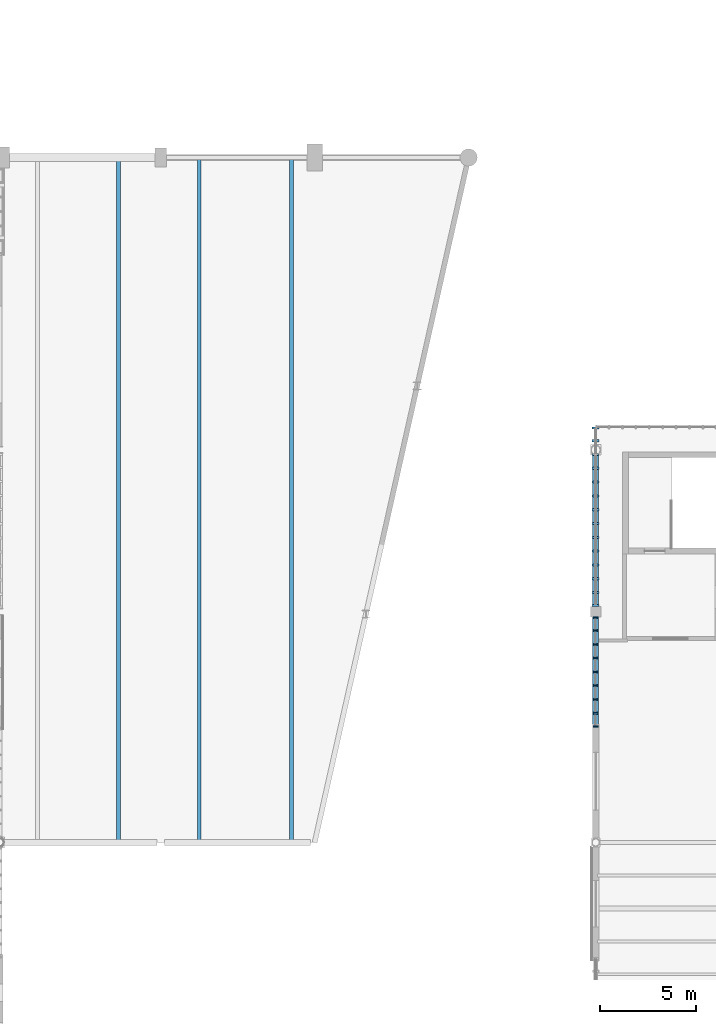
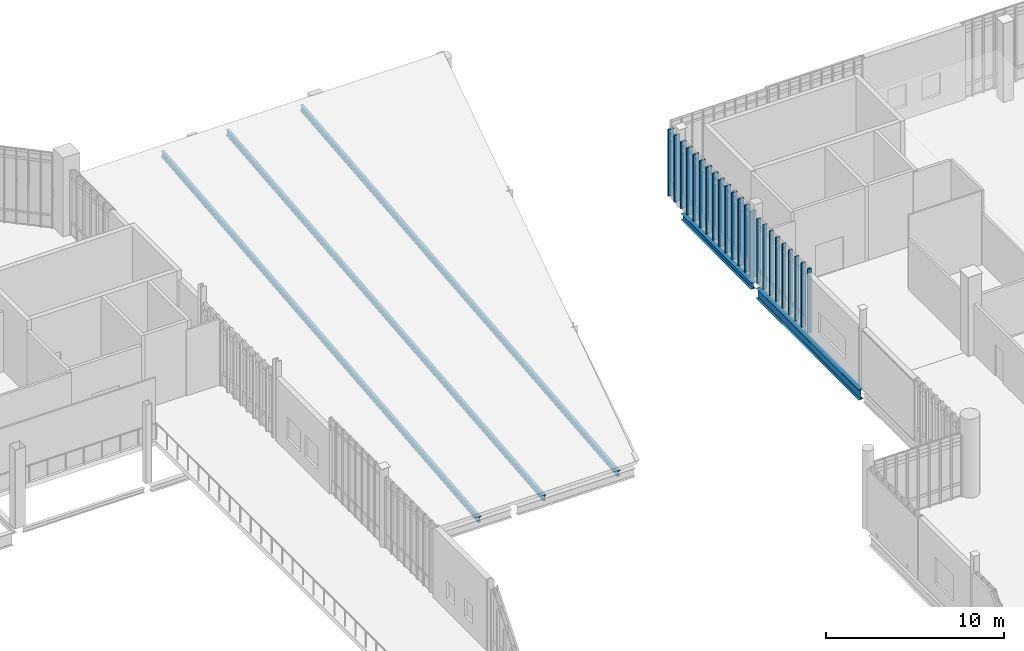
# One storey, part 28 of 135: 26 members, 2 beams, 2 elements without a shape of their own.
"""IFC4 building model written with IfcOpenShell, lengths in metres."""

from ifc_helpers import new_model, si_unit, direction, frame, origin, origin_2d, place, context, subcontext, project, spatial, rectangle, i_section, extrude, material, material_profile, profile_set, type_object, element, aggregate, save


model = new_model("IFC4")

# Units and contexts
model_context = context("Model", 3, precision=1e-05, world=origin(), true_north=direction((0.0, 1.0)))
body_context = subcontext(model_context, "Body", "Model", "MODEL_VIEW")
ifc_project = project(units=[si_unit("LENGTHUNIT", "METRE"), si_unit("AREAUNIT", "SQUARE_METRE"), si_unit("VOLUMEUNIT", "CUBIC_METRE"), si_unit("PLANEANGLEUNIT", "RADIAN"), si_unit("MASSUNIT", "GRAM", prefix="KILO")], contexts=[model_context])

# Site, building, storey
site_placement = place(None, origin())
site = spatial("IfcSite", under=ifc_project, at=site_placement, CompositionType="ELEMENT")
building_placement = place(site_placement, origin())
building = spatial("IfcBuilding", under=site, at=building_placement, Name="Larkvane Passage Sports Hall", CompositionType="ELEMENT")
storey_placement = place(building_placement, frame((0.0, 0.0, 16.800048828125)))
storey = spatial("IfcBuildingStorey", under=building, at=storey_placement, Name="L03", CompositionType="ELEMENT", Elevation=16.800048828125)

# Beams
ifc_material_1 = material(Name="Steel S355JR", Category="steel")
ifc_material_profile_1 = material_profile(ifc_material_1, i_section(OverallWidth=0.300048828125, OverallDepth=0.43994140625, WebThickness=0.010986328125, FlangeThickness=0.01806640625, FilletRadius=0.01806640625, at=origin_2d()), Name="H-440x300x11x18")
ifc_profile_set_1 = profile_set([ifc_material_profile_1], Name="Steel S355JR")
beam_type_1 = type_object("IfcBeamType", Name="BM-STL-H440", PredefinedType="BEAM", material=ifc_profile_set_1)
beam_1_placement = place(storey_placement, frame((124.60009765625, 75.875, -0.56005859375), z_axis=(0.0, 1.0, 0.0), x_axis=(-1.0, 0.0, 0.0)))
element("IfcBeam", 1, at=beam_1_placement, inside=storey, type_object=beam_type_1, Name="Girder BM5-Y-L03-17-1043", PredefinedType="BEAM", context=body_context, shape_type="SweptSolid", body=[
    extrude(i_section(OverallWidth=0.300048828125, OverallDepth=0.43994140625, WebThickness=0.010986328125, FlangeThickness=0.01806640625, FilletRadius=0.01806640625, at=origin_2d()), origin(), (0.0, 0.0, 1.0), 7.87109375),
])
ifc_material_2 = material(Name="Steel S460N", Category="steel")
ifc_material_profile_2 = material_profile(ifc_material_2, i_section(OverallWidth=0.300048828125, OverallDepth=0.69189453125, WebThickness=0.012939453125, FlangeThickness=0.02001953125, FilletRadius=0.02197265625, at=origin_2d()), Name="H-692x300x13x20")
ifc_profile_set_2 = profile_set([ifc_material_profile_2], Name="Steel S460N")
beam_type_2 = type_object("IfcBeamType", Name="BM-STL-H692", PredefinedType="BEAM", material=ifc_profile_set_2)
beam_2_placement = place(storey_placement, frame((124.60009765625, 63.80322265625, -0.68603515625), z_axis=(0.0, 1.0, 0.0), x_axis=(-1.0, 0.0, 0.0)))
element("IfcBeam", 2, at=beam_2_placement, inside=storey, type_object=beam_type_2, Name="Girder BM5-Y-L03-17-1042", PredefinedType="BEAM", context=body_context, shape_type="SweptSolid", body=[
    extrude(i_section(OverallWidth=0.300048828125, OverallDepth=0.69189453125, WebThickness=0.012939453125, FlangeThickness=0.02001953125, FilletRadius=0.02197265625, at=origin_2d()), origin(), (0.0, 0.0, 1.0), 11.521728515625),
])

# Curtain wall, members
ifc_material_3 = material(Name="Thermally broken aluminium and low-E glazing", Category="aluminium")
curtain_wall_type_1 = type_object("IfcCurtainWallType", Name="CW-CLINIC", PredefinedType="USERDEFINED", material=ifc_material_3)
curtain_wall_1_placement = place(storey_placement, origin())
curtain_wall_1 = element("IfcCurtainWall", 3, at=curtain_wall_1_placement, inside=storey, type_object=curtain_wall_type_1, Name="Curtain wall CW5-L03-103", ObjectType="UNITISED CURTAIN WALL", PredefinedType="USERDEFINED")
ifc_material_4 = material(Name="Anodised aluminium 6063-T6", Category="aluminium")
ifc_material_profile_3 = material_profile(ifc_material_4, rectangle(XDim=0.110107421875, YDim=0.360107421875, at=origin_2d()), Name="ALU-MUL-110x360")
ifc_profile_set_3 = profile_set([ifc_material_profile_3], Name="Anodised aluminium 6063-T6")
member_type_1 = type_object("IfcMemberType", Name="CW-MUL-110x360", PredefinedType="MULLION", material=ifc_profile_set_3)
member_1_placement = place(storey_placement, frame((124.60009765625, 75.926025390625, 0.0), z_axis=(0.0, 0.0, 1.0), x_axis=(0.0, 1.0, 0.0)))
member_1 = element("IfcMember", 4, at=member_1_placement, type_object=member_type_1, Name="CW-05 mullion 1", PredefinedType="MULLION", context=body_context, shape_type="SweptSolid", body=[
    extrude(rectangle(XDim=0.110107421875, YDim=0.360107421875, at=origin_2d()), origin(), (0.0, 0.0, 1.0), 4.56787109375),
])
member_2_placement = place(storey_placement, frame((124.60009765625, 76.588623046875, 0.0), z_axis=(0.0, 0.0, 1.0), x_axis=(0.0, 1.0, 0.0)))
member_2 = element("IfcMember", 5, at=member_2_placement, type_object=member_type_1, Name="CW-05 mullion 2", PredefinedType="MULLION", context=body_context, shape_type="SweptSolid", body=[
    extrude(rectangle(XDim=0.110107421875, YDim=0.360107421875, at=origin_2d()), origin(), (0.0, 0.0, 1.0), 4.56787109375),
])
member_3_placement = place(storey_placement, frame((124.60009765625, 77.30615234375, 0.0), z_axis=(0.0, 0.0, 1.0), x_axis=(0.0, 1.0, 0.0)))
member_3 = element("IfcMember", 6, at=member_3_placement, type_object=member_type_1, Name="CW-05 mullion 3", PredefinedType="MULLION", context=body_context, shape_type="SweptSolid", body=[
    extrude(rectangle(XDim=0.110107421875, YDim=0.360107421875, at=origin_2d()), origin(), (0.0, 0.0, 1.0), 4.56787109375),
])
member_4_placement = place(storey_placement, frame((124.60009765625, 78.02392578125, 0.0), z_axis=(0.0, 0.0, 1.0), x_axis=(0.0, 1.0, 0.0)))
member_4 = element("IfcMember", 7, at=member_4_placement, type_object=member_type_1, Name="CW-05 mullion 4", PredefinedType="MULLION", context=body_context, shape_type="SweptSolid", body=[
    extrude(rectangle(XDim=0.110107421875, YDim=0.360107421875, at=origin_2d()), origin(), (0.0, 0.0, 1.0), 4.56787109375),
])
member_5_placement = place(storey_placement, frame((124.60009765625, 78.741455078125, 0.0), z_axis=(0.0, 0.0, 1.0), x_axis=(0.0, 1.0, 0.0)))
member_5 = element("IfcMember", 8, at=member_5_placement, type_object=member_type_1, Name="CW-05 mullion 5", PredefinedType="MULLION", context=body_context, shape_type="SweptSolid", body=[
    extrude(rectangle(XDim=0.110107421875, YDim=0.360107421875, at=origin_2d()), origin(), (0.0, 0.0, 1.0), 4.56787109375),
])
member_6_placement = place(storey_placement, frame((124.60009765625, 79.458984375, 0.0), z_axis=(0.0, 0.0, 1.0), x_axis=(0.0, 1.0, 0.0)))
member_6 = element("IfcMember", 9, at=member_6_placement, type_object=member_type_1, Name="CW-05 mullion 6", PredefinedType="MULLION", context=body_context, shape_type="SweptSolid", body=[
    extrude(rectangle(XDim=0.110107421875, YDim=0.360107421875, at=origin_2d()), origin(), (0.0, 0.0, 1.0), 4.56787109375),
])
member_7_placement = place(storey_placement, frame((124.60009765625, 80.1767578125, 0.0), z_axis=(0.0, 0.0, 1.0), x_axis=(0.0, 1.0, 0.0)))
member_7 = element("IfcMember", 10, at=member_7_placement, type_object=member_type_1, Name="CW-05 mullion 7", PredefinedType="MULLION", context=body_context, shape_type="SweptSolid", body=[
    extrude(rectangle(XDim=0.110107421875, YDim=0.360107421875, at=origin_2d()), origin(), (0.0, 0.0, 1.0), 4.56787109375),
])
member_8_placement = place(storey_placement, frame((124.60009765625, 80.894287109375, 0.0), z_axis=(0.0, 0.0, 1.0), x_axis=(0.0, 1.0, 0.0)))
member_8 = element("IfcMember", 11, at=member_8_placement, type_object=member_type_1, Name="CW-05 mullion 8", PredefinedType="MULLION", context=body_context, shape_type="SweptSolid", body=[
    extrude(rectangle(XDim=0.110107421875, YDim=0.360107421875, at=origin_2d()), origin(), (0.0, 0.0, 1.0), 4.56787109375),
])
member_9_placement = place(storey_placement, frame((124.60009765625, 81.61181640625, 0.0), z_axis=(0.0, 0.0, 1.0), x_axis=(0.0, 1.0, 0.0)))
member_9 = element("IfcMember", 12, at=member_9_placement, type_object=member_type_1, Name="CW-05 mullion 9", PredefinedType="MULLION", context=body_context, shape_type="SweptSolid", body=[
    extrude(rectangle(XDim=0.110107421875, YDim=0.360107421875, at=origin_2d()), origin(), (0.0, 0.0, 1.0), 4.56787109375),
])
member_10_placement = place(storey_placement, frame((124.60009765625, 82.32958984375, 0.0), z_axis=(0.0, 0.0, 1.0), x_axis=(0.0, 1.0, 0.0)))
member_10 = element("IfcMember", 13, at=member_10_placement, type_object=member_type_1, Name="CW-05 mullion 10", PredefinedType="MULLION", context=body_context, shape_type="SweptSolid", body=[
    extrude(rectangle(XDim=0.110107421875, YDim=0.360107421875, at=origin_2d()), origin(), (0.0, 0.0, 1.0), 4.56787109375),
])
member_11_placement = place(storey_placement, frame((124.60009765625, 83.047119140625, 0.0), z_axis=(0.0, 0.0, 1.0), x_axis=(0.0, 1.0, 0.0)))
member_11 = element("IfcMember", 14, at=member_11_placement, type_object=member_type_1, Name="CW-05 mullion 11", PredefinedType="MULLION", context=body_context, shape_type="SweptSolid", body=[
    extrude(rectangle(XDim=0.110107421875, YDim=0.360107421875, at=origin_2d()), origin(), (0.0, 0.0, 1.0), 4.56787109375),
])
member_12_placement = place(storey_placement, frame((124.60009765625, 83.7646484375, 0.0), z_axis=(0.0, 0.0, 1.0), x_axis=(0.0, 1.0, 0.0)))
member_12 = element("IfcMember", 15, at=member_12_placement, type_object=member_type_1, Name="CW-05 mullion 12", PredefinedType="MULLION", context=body_context, shape_type="SweptSolid", body=[
    extrude(rectangle(XDim=0.110107421875, YDim=0.360107421875, at=origin_2d()), origin(), (0.0, 0.0, 1.0), 4.56787109375),
])
member_13_placement = place(storey_placement, frame((124.60009765625, 84.482421875, 0.0), z_axis=(0.0, 0.0, 1.0), x_axis=(0.0, 1.0, 0.0)))
member_13 = element("IfcMember", 16, at=member_13_placement, type_object=member_type_1, Name="CW-05 mullion 13", PredefinedType="MULLION", context=body_context, shape_type="SweptSolid", body=[
    extrude(rectangle(XDim=0.110107421875, YDim=0.360107421875, at=origin_2d()), origin(), (0.0, 0.0, 1.0), 4.56787109375),
])
member_14_placement = place(storey_placement, frame((124.60009765625, 85.14501953125, 0.0), z_axis=(0.0, 0.0, 1.0), x_axis=(0.0, 1.0, 0.0)))
member_14 = element("IfcMember", 17, at=member_14_placement, type_object=member_type_1, Name="CW-05 mullion 14", PredefinedType="MULLION", context=body_context, shape_type="SweptSolid", body=[
    extrude(rectangle(XDim=0.110107421875, YDim=0.360107421875, at=origin_2d()), origin(), (0.0, 0.0, 1.0), 4.56787109375),
])
aggregate(curtain_wall_1, [member_1, member_2, member_3, member_4, member_5, member_6, member_7, member_8, member_9, member_10, member_11, member_12, member_13, member_14])

curtain_wall_type_2 = type_object("IfcCurtainWallType", Name="CW-STICK-FOYER", PredefinedType="USERDEFINED", material=ifc_material_3)
curtain_wall_2_placement = place(storey_placement, origin())
curtain_wall_2 = element("IfcCurtainWall", 18, at=curtain_wall_2_placement, inside=storey, type_object=curtain_wall_type_2, Name="Curtain wall CW5-L03-102", ObjectType="STICK CURTAIN WALL", PredefinedType="USERDEFINED")
ifc_material_profile_4 = material_profile(ifc_material_4, rectangle(XDim=0.080078125, YDim=0.25, at=origin_2d()), Name="ALU-MUL-80x250")
ifc_profile_set_4 = profile_set([ifc_material_profile_4], Name="Anodised aluminium 6063-T6")
member_type_2 = type_object("IfcMemberType", Name="CW-MUL-80x250", PredefinedType="MULLION", material=ifc_profile_set_4)
member_15_placement = place(storey_placement, frame((124.60009765625, 69.639892578125, 0.0), z_axis=(0.0, 0.0, 1.0), x_axis=(0.0, 1.0, 0.0)))
member_15 = element("IfcMember", 19, at=member_15_placement, type_object=member_type_2, Name="CW-03 mullion 1", PredefinedType="MULLION", context=body_context, shape_type="SweptSolid", body=[
    extrude(rectangle(XDim=0.080078125, YDim=0.25, at=origin_2d()), origin(), (0.0, 0.0, 1.0), 4.407958984375),
])
member_16_placement = place(storey_placement, frame((124.60009765625, 70.316162109375, 0.0), z_axis=(0.0, 0.0, 1.0), x_axis=(0.0, 1.0, 0.0)))
member_16 = element("IfcMember", 20, at=member_16_placement, type_object=member_type_2, Name="CW-03 mullion 2", PredefinedType="MULLION", context=body_context, shape_type="SweptSolid", body=[
    extrude(rectangle(XDim=0.080078125, YDim=0.25, at=origin_2d()), origin(), (0.0, 0.0, 1.0), 4.407958984375),
])
member_17_placement = place(storey_placement, frame((124.60009765625, 71.0322265625, 0.0), z_axis=(0.0, 0.0, 1.0), x_axis=(0.0, 1.0, 0.0)))
member_17 = element("IfcMember", 21, at=member_17_placement, type_object=member_type_2, Name="CW-03 mullion 3", PredefinedType="MULLION", context=body_context, shape_type="SweptSolid", body=[
    extrude(rectangle(XDim=0.080078125, YDim=0.25, at=origin_2d()), origin(), (0.0, 0.0, 1.0), 4.407958984375),
])
member_18_placement = place(storey_placement, frame((124.60009765625, 71.748291015625, 0.0), z_axis=(0.0, 0.0, 1.0), x_axis=(0.0, 1.0, 0.0)))
member_18 = element("IfcMember", 22, at=member_18_placement, type_object=member_type_2, Name="CW-03 mullion 4", PredefinedType="MULLION", context=body_context, shape_type="SweptSolid", body=[
    extrude(rectangle(XDim=0.080078125, YDim=0.25, at=origin_2d()), origin(), (0.0, 0.0, 1.0), 4.407958984375),
])
member_19_placement = place(storey_placement, frame((124.60009765625, 72.464599609375, 0.0), z_axis=(0.0, 0.0, 1.0), x_axis=(0.0, 1.0, 0.0)))
member_19 = element("IfcMember", 23, at=member_19_placement, type_object=member_type_2, Name="CW-03 mullion 5", PredefinedType="MULLION", context=body_context, shape_type="SweptSolid", body=[
    extrude(rectangle(XDim=0.080078125, YDim=0.25, at=origin_2d()), origin(), (0.0, 0.0, 1.0), 4.407958984375),
])
member_20_placement = place(storey_placement, frame((124.60009765625, 73.1806640625, 0.0), z_axis=(0.0, 0.0, 1.0), x_axis=(0.0, 1.0, 0.0)))
member_20 = element("IfcMember", 24, at=member_20_placement, type_object=member_type_2, Name="CW-03 mullion 6", PredefinedType="MULLION", context=body_context, shape_type="SweptSolid", body=[
    extrude(rectangle(XDim=0.080078125, YDim=0.25, at=origin_2d()), origin(), (0.0, 0.0, 1.0), 4.407958984375),
])
member_21_placement = place(storey_placement, frame((124.60009765625, 73.896728515625, 0.0), z_axis=(0.0, 0.0, 1.0), x_axis=(0.0, 1.0, 0.0)))
member_21 = element("IfcMember", 25, at=member_21_placement, type_object=member_type_2, Name="CW-03 mullion 7", PredefinedType="MULLION", context=body_context, shape_type="SweptSolid", body=[
    extrude(rectangle(XDim=0.080078125, YDim=0.25, at=origin_2d()), origin(), (0.0, 0.0, 1.0), 4.407958984375),
])
member_22_placement = place(storey_placement, frame((124.60009765625, 74.61279296875, 0.0), z_axis=(0.0, 0.0, 1.0), x_axis=(0.0, 1.0, 0.0)))
member_22 = element("IfcMember", 26, at=member_22_placement, type_object=member_type_2, Name="CW-03 mullion 8", PredefinedType="MULLION", context=body_context, shape_type="SweptSolid", body=[
    extrude(rectangle(XDim=0.080078125, YDim=0.25, at=origin_2d()), origin(), (0.0, 0.0, 1.0), 4.407958984375),
])
member_23_placement = place(storey_placement, frame((124.60009765625, 75.2890625, 0.0), z_axis=(0.0, 0.0, 1.0), x_axis=(0.0, 1.0, 0.0)))
member_23 = element("IfcMember", 27, at=member_23_placement, type_object=member_type_2, Name="CW-03 mullion 9", PredefinedType="MULLION", context=body_context, shape_type="SweptSolid", body=[
    extrude(rectangle(XDim=0.080078125, YDim=0.25, at=origin_2d()), origin(), (0.0, 0.0, 1.0), 4.407958984375),
])
aggregate(curtain_wall_2, [member_15, member_16, member_17, member_18, member_19, member_20, member_21, member_22, member_23])

# Members
ifc_material_profile_5 = material_profile(ifc_material_1, i_section(OverallWidth=0.199951171875, OverallDepth=0.39990234375, WebThickness=0.008056640625, FlangeThickness=0.012939453125, FilletRadius=0.012939453125, at=origin_2d()), Name="H-400x200x8x13")
ifc_profile_set_5 = profile_set([ifc_material_profile_5], Name="Steel S355JR")
member_type_3 = type_object("IfcMemberType", Name="MBR-RF-H400", PredefinedType="RAFTER", material=ifc_profile_set_5)
for number, where, z_axis, x_axis, name in (
    (28, (99.800048828125, 63.60009765625, -0.449951171875), (0.0, 0.995201835121, 0.097843279647), (-1.0, 0.0, 0.0), "Climbing hall mono-fold roof rafter 2"),
    (29, (104.0, 63.60009765625, -0.449951171875), (0.0, 0.995201835121, 0.097843279647), (-1.0, 0.0, 0.0), "Climbing hall mono-fold roof rafter 3"),
    (30, (108.800048828125, 63.60009765625, -0.449951171875), (0.0, 0.995201835121, 0.097843279647), (-1.0, 0.0, 0.0), "Climbing hall mono-fold roof rafter 4"),
):
    element("IfcMember", number, at=place(storey_placement, frame(where, z_axis=z_axis, x_axis=x_axis)), inside=storey, type_object=member_type_3, Name=name, PredefinedType="RAFTER", context=body_context, shape_type="SweptSolid", body=[
        extrude(i_section(OverallWidth=0.199951171875, OverallDepth=0.39990234375, WebThickness=0.008056640625, FlangeThickness=0.012939453125, FilletRadius=0.012939453125, at=origin_2d()), origin(), (0.0, 0.0, 1.0), 35.771484375),
    ])

save(model, "model.ifc")
